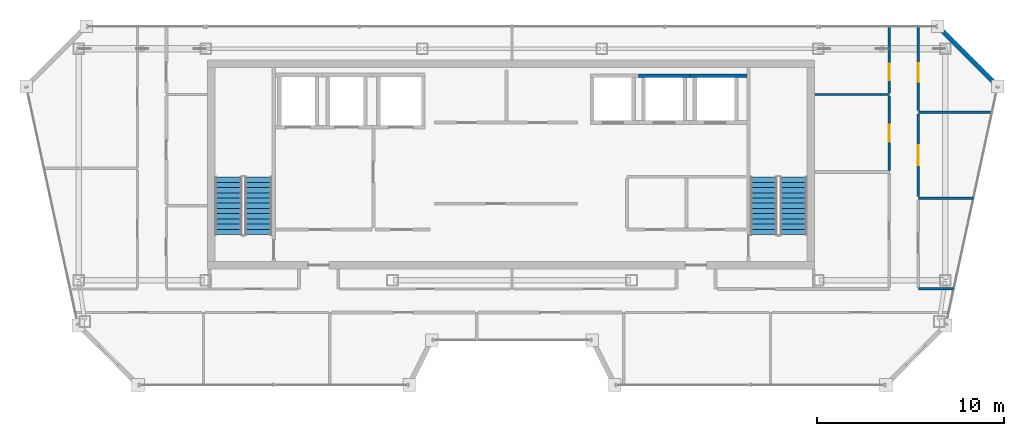
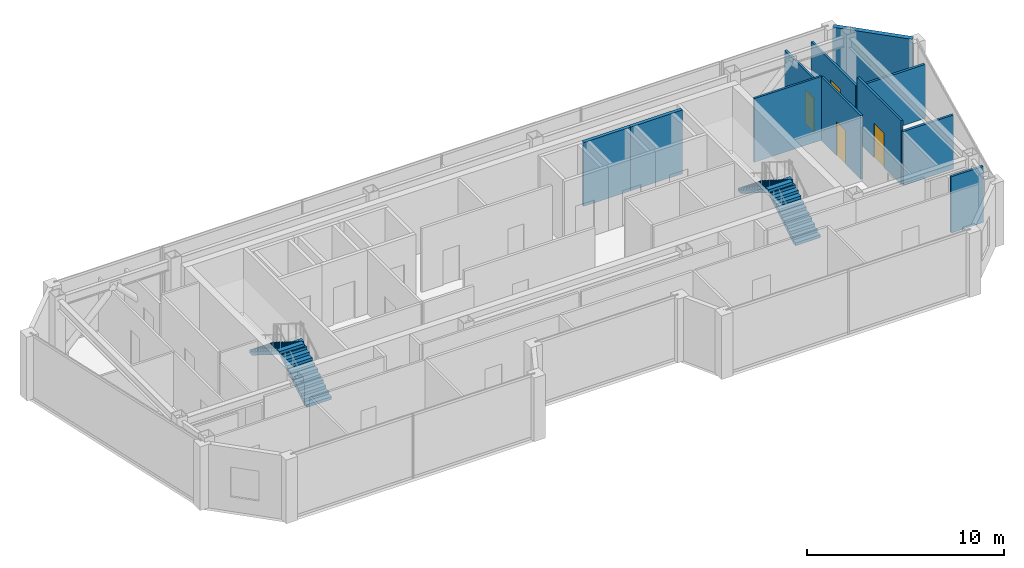
# One storey, part 17 of 20: 11 walls, 4 doors, 4 stair flights, 4 openings, 2 elements without a shape of their own.
"""IFC4 building model written with IfcOpenShell, lengths in metres."""

from ifc_helpers import new_model, si_unit, direction, frame, frame_2d, origin, place, context, subcontext, project, spatial, polyline, rectangle, outline, extrude, material, layer, layer_set, type_object, element, fill, aggregate, save


model = new_model("IFC4")

# Units and contexts
model_context = context("Model", 3, precision=1e-05, world=origin(), true_north=direction((0.0, 1.0)))
body_context = subcontext(model_context, "Body", "Model", "MODEL_VIEW")
ifc_project = project(units=[si_unit("LENGTHUNIT", "METRE"), si_unit("AREAUNIT", "SQUARE_METRE"), si_unit("VOLUMEUNIT", "CUBIC_METRE"), si_unit("PLANEANGLEUNIT", "RADIAN"), si_unit("MASSUNIT", "GRAM", prefix="KILO")], contexts=[model_context])

# Site, building, storey
site_placement = place(None, origin())
site = spatial("IfcSite", under=ifc_project, at=site_placement, CompositionType="ELEMENT")
building_placement = place(site_placement, origin())
building = spatial("IfcBuilding", under=site, at=building_placement, Name="Saevonmaru Cultural Tower", CompositionType="ELEMENT")
storey_placement = place(building_placement, frame((0.0, 0.0, 319.199951171875)))
storey = spatial("IfcBuildingStorey", under=building, at=storey_placement, Name="L76", CompositionType="ELEMENT", Elevation=319.199951171875)

# Walls
ifc_material_1 = material(Name="Granite-Clad Precast Concrete C40/50", Category="masonry")
ifc_layer_1 = layer(ifc_material_1, 0.260009765625, Name="Granite-Clad Precast Concrete C40/50")
ifc_layer_set_1 = layer_set([ifc_layer_1], Name="Granite-Clad Precast Concrete C40/50")
wall_type_1 = type_object("IfcWallType", Name="WL-EXT-SPANDREL-260", PredefinedType="STANDARD", material=ifc_layer_set_1)
wall_1_placement = place(storey_placement, frame((55.886962890625, 52.9130859375, 0.0), z_axis=(0.0, 0.0, 1.0), x_axis=(-0.707106781187, 0.707106781187, 0.0)))
element("IfcWall", 1, at=wall_1_placement, inside=storey, type_object=wall_type_1, Name="L76 Chamfer Corner Spandrel Wall E9", PredefinedType="STANDARD", context=body_context, shape_type="SweptSolid", body=[
    extrude(rectangle(XDim=4.205810546875, YDim=0.260009765625, at=frame_2d((2.10302734375, 0.0))), origin(), (0.0, 0.0, 1.0), 3.949951171875),
])
ifc_material_2 = material(Name="Gypsum Fireboard Partition", Category="gypsum")
ifc_layer_2 = layer(ifc_material_2, 0.1201171875, Name="Gypsum Fireboard Partition")
ifc_layer_set_2 = layer_set([ifc_layer_2], Name="Gypsum Fireboard Partition")
wall_type_2 = type_object("IfcWallType", Name="WL-PART-GYP-120", PredefinedType="PARTITIONING", material=ifc_layer_set_2)
wall_2_placement = place(storey_placement, frame((46.219970703125, 52.35009765625, 0.0), z_axis=(0.0, 0.0, 1.0), x_axis=(1.0, 0.0, 0.0)))
element("IfcWall", 2, at=wall_2_placement, inside=storey, type_object=wall_type_2, Name="L76 North-East Panorama South Wall", PredefinedType="PARTITIONING", context=body_context, shape_type="SweptSolid", body=[
    extrude(rectangle(XDim=3.97998046875, YDim=0.1201171875, at=frame_2d((1.989990234375, 0.0))), origin(), (0.0, 0.0, 1.0), 3.949951171875),
])

# Wall, opening, door
wall_3_placement = place(storey_placement, frame((50.199951171875, 48.2900390625, 0.0), z_axis=(0.0, 0.0, 1.0), x_axis=(0.0, 1.0, 0.0)))
wall_3 = element("IfcWall", 3, at=wall_3_placement, inside=storey, type_object=wall_type_2, Name="L76 Digital Media Classroom Corridor Wall", PredefinedType="PARTITIONING", context=body_context, shape_type="SweptSolid", body=[
    extrude(rectangle(XDim=3.97998046875, YDim=0.1201171875, at=frame_2d((1.989990234375, 0.0))), origin(), (0.0, 0.0, 1.0), 3.949951171875),
])
opening_1_placement = place(wall_3_placement, frame((1.5400390625, 0.0, 0.0)))
opening_1 = element("IfcOpeningElement", 4, at=opening_1_placement, cuts=wall_3, Name="Opening ID-2", PredefinedType="OPENING", context=body_context, shape_type="SweptSolid", body=[
    extrude(rectangle(XDim=0.89990234375, YDim=2.10009765625, at=frame_2d((0.449951171875, 1.050048828125))), frame((0.0, 0.070068359375, 0.0), z_axis=(0.0, -1.0, 0.0), x_axis=(1.0, 0.0, 0.0)), (0.0, 0.0, 1.0), 0.14013671875),
])
ifc_material_3 = material(Name="Acoustic Stained Oak Timber", Category="wood")
door_type_1 = type_object("IfcDoorType", Name="DR-INT-900", OperationType="SINGLE_SWING_RIGHT", PredefinedType="DOOR", material=ifc_material_3)
door_1_placement = place(opening_1_placement, origin())
door_1 = element("IfcDoor", 5, at=door_1_placement, inside=storey, type_object=door_type_1, Name="L76 Digital Media Classroom Door", OperationType="SINGLE_SWING_LEFT", OverallHeight=2.10009765625, OverallWidth=0.89990234375, PredefinedType="DOOR", context=body_context, shape_type="SweptSolid", body=[
    extrude(rectangle(XDim=0.89990234375, YDim=2.10009765625, at=frame_2d((0.449951171875, 1.050048828125))), frame((0.0, 0.02490234375, 0.0), z_axis=(0.0, -1.0, 0.0), x_axis=(1.0, 0.0, 0.0)), (0.0, 0.0, 1.0), 0.050048828125),
])
fill(opening_1, door_1)

wall_4_placement = place(storey_placement, frame((50.199951171875, 52.429931640625, 0.0), z_axis=(0.0, 0.0, 1.0), x_axis=(0.0, 1.0, 0.0)))
wall_4 = element("IfcWall", 6, at=wall_4_placement, inside=storey, type_object=wall_type_2, Name="L76 Design Seminar Classroom Corridor Wall", PredefinedType="PARTITIONING", context=body_context, shape_type="SweptSolid", body=[
    extrude(rectangle(XDim=3.565185546875, YDim=0.1201171875, at=frame_2d((1.78271484375, 0.0))), origin(), (0.0, 0.0, 1.0), 3.3349609375),
])
opening_2_placement = place(wall_4_placement, frame((0.672119140625, 0.0, 0.0)))
opening_2 = element("IfcOpeningElement", 7, at=opening_2_placement, cuts=wall_4, Name="Opening ID-2", PredefinedType="OPENING", context=body_context, shape_type="SweptSolid", body=[
    extrude(rectangle(XDim=0.89990234375, YDim=2.10009765625, at=frame_2d((0.449951171875, 1.050048828125))), frame((0.0, 0.070068359375, 0.0), z_axis=(0.0, -1.0, 0.0), x_axis=(1.0, 0.0, 0.0)), (0.0, 0.0, 1.0), 0.14013671875),
])
door_2_placement = place(opening_2_placement, origin())
door_2 = element("IfcDoor", 8, at=door_2_placement, inside=storey, type_object=door_type_1, Name="L76 Design Seminar Classroom Door", OperationType="SINGLE_SWING_RIGHT", OverallHeight=2.10009765625, OverallWidth=0.89990234375, PredefinedType="DOOR", context=body_context, shape_type="SweptSolid", body=[
    extrude(rectangle(XDim=0.89990234375, YDim=2.10009765625, at=frame_2d((0.449951171875, 1.050048828125))), frame((0.0, 0.02490234375, 0.0), z_axis=(0.0, -1.0, 0.0), x_axis=(1.0, 0.0, 0.0)), (0.0, 0.0, 1.0), 0.050048828125),
])
fill(opening_2, door_2)

wall_5_placement = place(storey_placement, frame((51.75, 46.887451171875, 0.0), z_axis=(0.0, 0.0, 1.0), x_axis=(0.0, 1.0, 0.0)))
wall_5 = element("IfcWall", 9, at=wall_5_placement, inside=storey, type_object=wall_type_2, Name="L76 Cartographic Study Library Corridor Wall", PredefinedType="PARTITIONING", context=body_context, shape_type="SweptSolid", body=[
    extrude(rectangle(XDim=4.425048828125, YDim=0.1201171875, at=frame_2d((2.21240234375, 0.0))), origin(), (0.0, 0.0, 1.0), 3.949951171875),
])
opening_3_placement = place(wall_5_placement, frame((1.68701171875, 0.0, 0.0)))
opening_3 = element("IfcOpeningElement", 10, at=opening_3_placement, cuts=wall_5, Name="Opening ID-1", PredefinedType="OPENING", context=body_context, shape_type="SweptSolid", body=[
    extrude(rectangle(XDim=1.050048828125, YDim=2.14990234375, at=frame_2d((0.52490234375, 1.074951171875))), frame((0.0, 0.070068359375, 0.0), z_axis=(0.0, -1.0, 0.0), x_axis=(1.0, 0.0, 0.0)), (0.0, 0.0, 1.0), 0.14013671875),
])
ifc_material_4 = material(Name="Satin Bronze Anodised Aluminium", Category="aluminium")
door_type_2 = type_object("IfcDoorType", Name="DR-INT-1050", OperationType="SINGLE_SWING_LEFT", PredefinedType="DOOR", material=ifc_material_4)
door_3_placement = place(opening_3_placement, origin())
door_3 = element("IfcDoor", 11, at=door_3_placement, inside=storey, type_object=door_type_2, Name="L76 Cartographic Study Library Door", OperationType="SINGLE_SWING_LEFT", OverallHeight=2.14990234375, OverallWidth=1.050048828125, PredefinedType="DOOR", context=body_context, shape_type="SweptSolid", body=[
    extrude(rectangle(XDim=1.050048828125, YDim=2.14990234375, at=frame_2d((0.52490234375, 1.074951171875))), frame((0.0, 0.02490234375, 0.0), z_axis=(0.0, -1.0, 0.0), x_axis=(1.0, 0.0, 0.0)), (0.0, 0.0, 1.0), 0.050048828125),
])
fill(opening_3, door_3)

wall_6_placement = place(storey_placement, frame((51.75, 51.487548828125, 0.0), z_axis=(0.0, 0.0, 1.0), x_axis=(0.0, 1.0, 0.0)))
wall_6 = element("IfcWall", 12, at=wall_6_placement, inside=storey, type_object=wall_type_2, Name="L76 Panoramic Salon Restaurant Corridor Wall", PredefinedType="PARTITIONING", context=body_context, shape_type="SweptSolid", body=[
    extrude(rectangle(XDim=4.507568359375, YDim=0.1201171875, at=frame_2d((2.25390625, 0.0))), origin(), (0.0, 0.0, 1.0), 3.3349609375),
])
opening_4_placement = place(wall_6_placement, frame((1.533935546875, 0.0, 0.0)))
opening_4 = element("IfcOpeningElement", 13, at=opening_4_placement, cuts=wall_6, Name="Opening ID-1B", PredefinedType="OPENING", context=body_context, shape_type="SweptSolid", body=[
    extrude(rectangle(XDim=1.0, YDim=2.14990234375, at=frame_2d((0.5, 1.074951171875))), frame((0.0, 0.070068359375, 0.0), z_axis=(0.0, -1.0, 0.0), x_axis=(1.0, 0.0, 0.0)), (0.0, 0.0, 1.0), 0.14013671875),
])
door_type_3 = type_object("IfcDoorType", Name="DR-INT-1000", OperationType="SINGLE_SWING_RIGHT", PredefinedType="DOOR", material=ifc_material_3)
door_4_placement = place(opening_4_placement, origin())
door_4 = element("IfcDoor", 14, at=door_4_placement, inside=storey, type_object=door_type_3, Name="L76 Panoramic Salon Restaurant Door", OperationType="SINGLE_SWING_RIGHT", OverallHeight=2.14990234375, OverallWidth=1.0, PredefinedType="DOOR", context=body_context, shape_type="SweptSolid", body=[
    extrude(rectangle(XDim=1.0, YDim=2.14990234375, at=frame_2d((0.5, 1.074951171875))), frame((0.0, 0.02490234375, 0.0), z_axis=(0.0, -1.0, 0.0), x_axis=(1.0, 0.0, 0.0)), (0.0, 0.0, 1.0), 0.050048828125),
])
fill(opening_4, door_4)

# Walls
ifc_layer_3 = layer(ifc_material_2, 0.135009765625, Name="Gypsum Fireboard Partition")
ifc_layer_set_3 = layer_set([ifc_layer_3], Name="Gypsum Fireboard Partition")
wall_type_3 = type_object("IfcWallType", Name="WL-PART-GYP-135", PredefinedType="PARTITIONING", material=ifc_layer_set_3)
wall_7_placement = place(storey_placement, frame((51.75, 41.93994140625, 0.0), z_axis=(0.0, 0.0, 1.0), x_axis=(1.0, 0.0, 0.0)))
element("IfcWall", 15, at=wall_7_placement, inside=storey, type_object=wall_type_3, Name="L76 NE Wing South Wall", PredefinedType="PARTITIONING", context=body_context, shape_type="SweptSolid", body=[
    extrude(rectangle(XDim=1.891845703125, YDim=0.135009765625, at=frame_2d((0.94580078125, 0.0))), origin(), (0.0, 0.0, 1.0), 3.485107421875),
])
wall_8_placement = place(storey_placement, frame((51.75, 46.800048828125, 0.0), z_axis=(0.0, 0.0, 1.0), x_axis=(1.0, 0.0, 0.0)))
element("IfcWall", 16, at=wall_8_placement, inside=storey, type_object=wall_type_3, Name="L76 NE Studio Divider 1", PredefinedType="PARTITIONING", context=body_context, shape_type="SweptSolid", body=[
    extrude(rectangle(XDim=2.94482421875, YDim=0.135009765625, at=frame_2d((1.472412109375, 0.0))), origin(), (0.0, 0.0, 1.0), 3.34716796875),
])
wall_9_placement = place(storey_placement, frame((51.75, 51.39990234375, 0.0), z_axis=(0.0, 0.0, 1.0), x_axis=(1.0, 0.0, 0.0)))
element("IfcWall", 17, at=wall_9_placement, inside=storey, type_object=wall_type_3, Name="L76 NE Studio Divider 2", PredefinedType="PARTITIONING", context=body_context, shape_type="SweptSolid", body=[
    extrude(rectangle(XDim=3.941650390625, YDim=0.135009765625, at=frame_2d((1.970703125, 0.0))), origin(), (0.0, 0.0, 1.0), 3.34716796875),
])
ifc_material_5 = material(Name="Concrete C40/50", Category="concrete")
ifc_layer_4 = layer(ifc_material_5, 0.199951171875, Name="Concrete C40/50")
ifc_layer_set_4 = layer_set([ifc_layer_4], Name="Concrete C40/50")
wall_type_4 = type_object("IfcWallType", Name="WL-SHAFT-200", PredefinedType="SHEAR", material=ifc_layer_set_4)
wall_10_placement = place(storey_placement, frame((36.77490234375, 53.35009765625, 0.0), z_axis=(0.0, 0.0, 1.0), x_axis=(1.0, 0.0, 0.0)))
element("IfcWall", 18, at=wall_10_placement, inside=storey, type_object=wall_type_4, Name="L76 Lift PL-H2 Hoistway Wall N", PredefinedType="SHEAR", context=body_context, shape_type="SweptSolid", body=[
    extrude(rectangle(XDim=2.75, YDim=0.199951171875, at=frame_2d((1.375, 0.0))), origin(), (0.0, 0.0, 1.0), 3.949951171875),
])
wall_11_placement = place(storey_placement, frame((39.52490234375, 53.35009765625, 0.0), z_axis=(0.0, 0.0, 1.0), x_axis=(1.0, 0.0, 0.0)))
element("IfcWall", 19, at=wall_11_placement, inside=storey, type_object=wall_type_4, Name="L76 Lift PL-H3 Hoistway Wall N", PredefinedType="SHEAR", context=body_context, shape_type="SweptSolid", body=[
    extrude(rectangle(XDim=3.045166015625, YDim=0.199951171875, at=frame_2d((1.5224609375, 0.0))), origin(), (0.0, 0.0, 1.0), 3.949951171875),
])

# Stair, stair flights
stair_type = type_object("IfcStairType", Name="STR-DOGLEG-RC", PredefinedType="HALF_TURN_STAIR", material=ifc_material_5)
stair_1_placement = place(storey_placement, origin())
stair_1 = element("IfcStair", 20, at=stair_1_placement, inside=storey, type_object=stair_type, Name="L76 Protected exit stair ST-1", PredefinedType="HALF_TURN_STAIR")
ifc_material_6 = material(Name="Precast concrete C40/50", Category="concrete")
stair_flight_type = type_object("IfcStairFlightType", Name="STF-PRECAST-180", PredefinedType="STRAIGHT", material=ifc_material_6)
stair_flight_1_placement = place(storey_placement, frame((16.425048828125, 44.85009765625, 0.0), z_axis=(0.0, 0.0, 1.0), x_axis=(0.0, 1.0, 0.0)))
stair_flight_1 = element("IfcStairFlight", 21, at=stair_flight_1_placement, type_object=stair_flight_type, Name="ST-1-L76 flight 1", NumberOfRisers=12, NumberOfTreads=11, PredefinedType="STRAIGHT", RiserHeight=0.175, TreadLength=0.28, context=body_context, shape_type="SweptSolid", body=[
    extrude(outline(polyline([(0.0, 0.0), (0.0, 0.175048828125), (0.280029296875, 0.175048828125), (0.280029296875, 0.35009765625), (0.56005859375, 0.35009765625), (0.56005859375, 0.52490234375), (0.840087890625, 0.52490234375), (0.840087890625, 0.699951171875), (1.1201171875, 0.699951171875), (1.1201171875, 0.875), (1.39990234375, 0.875), (1.39990234375, 1.050048828125), (1.679931640625, 1.050048828125), (1.679931640625, 1.22509765625), (1.9599609375, 1.22509765625), (1.9599609375, 1.39990234375), (2.239990234375, 1.39990234375), (2.239990234375, 1.574951171875), (2.52001953125, 1.574951171875), (2.52001953125, 1.75), (2.800048828125, 1.75), (2.800048828125, 1.925048828125), (3.080078125, 1.925048828125), (3.080078125, 2.10009765625), (3.080078125, 1.748291015625), (0.28271484375, 0.0), (0.0, 0.0)])), frame((0.0, 0.72509765625, 0.0), z_axis=(0.0, -1.0, 0.0), x_axis=(1.0, 0.0, 0.0)), (0.0, 0.0, 1.0), 1.449951171875),
])
stair_flight_2_placement = place(storey_placement, frame((14.824951171875, 47.929931640625, 2.10009765625), z_axis=(0.0, 0.0, 1.0), x_axis=(0.0, -1.0, 0.0)))
stair_flight_2 = element("IfcStairFlight", 22, at=stair_flight_2_placement, type_object=stair_flight_type, Name="ST-1-L76 flight 2", NumberOfRisers=12, NumberOfTreads=11, PredefinedType="STRAIGHT", RiserHeight=0.175, TreadLength=0.28, context=body_context, shape_type="SweptSolid", body=[
    extrude(outline(polyline([(0.0, 0.0), (0.0, 0.175048828125), (0.280029296875, 0.175048828125), (0.280029296875, 0.35009765625), (0.56005859375, 0.35009765625), (0.56005859375, 0.52490234375), (0.840087890625, 0.52490234375), (0.840087890625, 0.699951171875), (1.1201171875, 0.699951171875), (1.1201171875, 0.875), (1.39990234375, 0.875), (1.39990234375, 1.050048828125), (1.679931640625, 1.050048828125), (1.679931640625, 1.22509765625), (1.9599609375, 1.22509765625), (1.9599609375, 1.39990234375), (2.239990234375, 1.39990234375), (2.239990234375, 1.574951171875), (2.52001953125, 1.574951171875), (2.52001953125, 1.75), (2.800048828125, 1.75), (2.800048828125, 1.925048828125), (3.080078125, 1.925048828125), (3.080078125, 2.10009765625), (3.080078125, 1.748291015625), (0.28271484375, 0.0), (0.0, 0.0)])), frame((0.0, 0.72509765625, 0.0), z_axis=(0.0, -1.0, 0.0), x_axis=(1.0, 0.0, 0.0)), (0.0, 0.0, 1.0), 1.449951171875),
])
aggregate(stair_1, [stair_flight_1, stair_flight_2])

stair_2_placement = place(storey_placement, origin())
stair_2 = element("IfcStair", 23, at=stair_2_placement, inside=storey, type_object=stair_type, Name="L76 Protected exit stair ST-2", PredefinedType="HALF_TURN_STAIR")
stair_flight_3_placement = place(storey_placement, frame((45.074951171875, 44.85009765625, 0.0), z_axis=(0.0, 0.0, 1.0), x_axis=(0.0, 1.0, 0.0)))
stair_flight_3 = element("IfcStairFlight", 24, at=stair_flight_3_placement, type_object=stair_flight_type, Name="ST-2-L76 flight 1", NumberOfRisers=12, NumberOfTreads=11, PredefinedType="STRAIGHT", RiserHeight=0.175, TreadLength=0.28, context=body_context, shape_type="SweptSolid", body=[
    extrude(outline(polyline([(0.0, 0.0), (0.0, 0.175048828125), (0.280029296875, 0.175048828125), (0.280029296875, 0.35009765625), (0.56005859375, 0.35009765625), (0.56005859375, 0.52490234375), (0.840087890625, 0.52490234375), (0.840087890625, 0.699951171875), (1.1201171875, 0.699951171875), (1.1201171875, 0.875), (1.39990234375, 0.875), (1.39990234375, 1.050048828125), (1.679931640625, 1.050048828125), (1.679931640625, 1.22509765625), (1.9599609375, 1.22509765625), (1.9599609375, 1.39990234375), (2.239990234375, 1.39990234375), (2.239990234375, 1.574951171875), (2.52001953125, 1.574951171875), (2.52001953125, 1.75), (2.800048828125, 1.75), (2.800048828125, 1.925048828125), (3.080078125, 1.925048828125), (3.080078125, 2.10009765625), (3.080078125, 1.748291015625), (0.28271484375, 0.0), (0.0, 0.0)])), frame((0.0, 0.72509765625, 0.0), z_axis=(0.0, -1.0, 0.0), x_axis=(1.0, 0.0, 0.0)), (0.0, 0.0, 1.0), 1.449951171875),
])
stair_flight_4_placement = place(storey_placement, frame((43.47509765625, 47.929931640625, 2.10009765625), z_axis=(0.0, 0.0, 1.0), x_axis=(0.0, -1.0, 0.0)))
stair_flight_4 = element("IfcStairFlight", 25, at=stair_flight_4_placement, type_object=stair_flight_type, Name="ST-2-L76 flight 2", NumberOfRisers=12, NumberOfTreads=11, PredefinedType="STRAIGHT", RiserHeight=0.175, TreadLength=0.28, context=body_context, shape_type="SweptSolid", body=[
    extrude(outline(polyline([(0.0, 0.0), (0.0, 0.175048828125), (0.280029296875, 0.175048828125), (0.280029296875, 0.35009765625), (0.56005859375, 0.35009765625), (0.56005859375, 0.52490234375), (0.840087890625, 0.52490234375), (0.840087890625, 0.699951171875), (1.1201171875, 0.699951171875), (1.1201171875, 0.875), (1.39990234375, 0.875), (1.39990234375, 1.050048828125), (1.679931640625, 1.050048828125), (1.679931640625, 1.22509765625), (1.9599609375, 1.22509765625), (1.9599609375, 1.39990234375), (2.239990234375, 1.39990234375), (2.239990234375, 1.574951171875), (2.52001953125, 1.574951171875), (2.52001953125, 1.75), (2.800048828125, 1.75), (2.800048828125, 1.925048828125), (3.080078125, 1.925048828125), (3.080078125, 2.10009765625), (3.080078125, 1.748291015625), (0.28271484375, 0.0), (0.0, 0.0)])), frame((0.0, 0.72509765625, 0.0), z_axis=(0.0, -1.0, 0.0), x_axis=(1.0, 0.0, 0.0)), (0.0, 0.0, 1.0), 1.449951171875),
])
aggregate(stair_2, [stair_flight_3, stair_flight_4])

save(model, "model.ifc")
